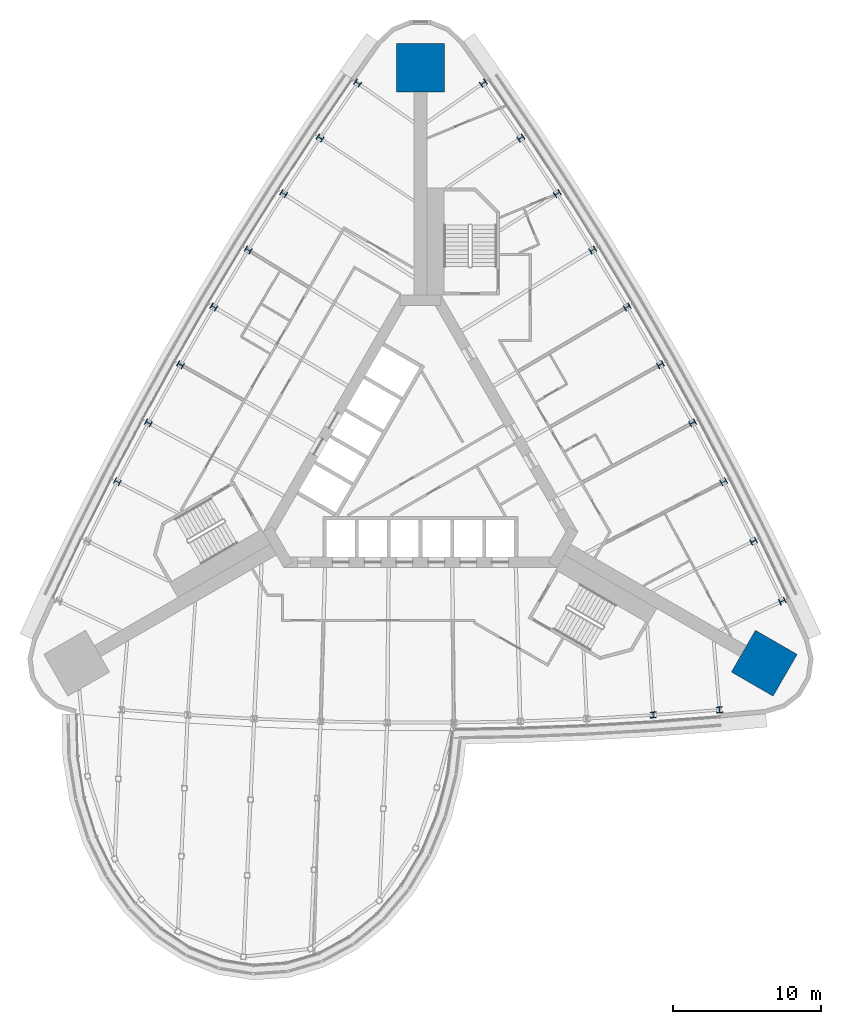
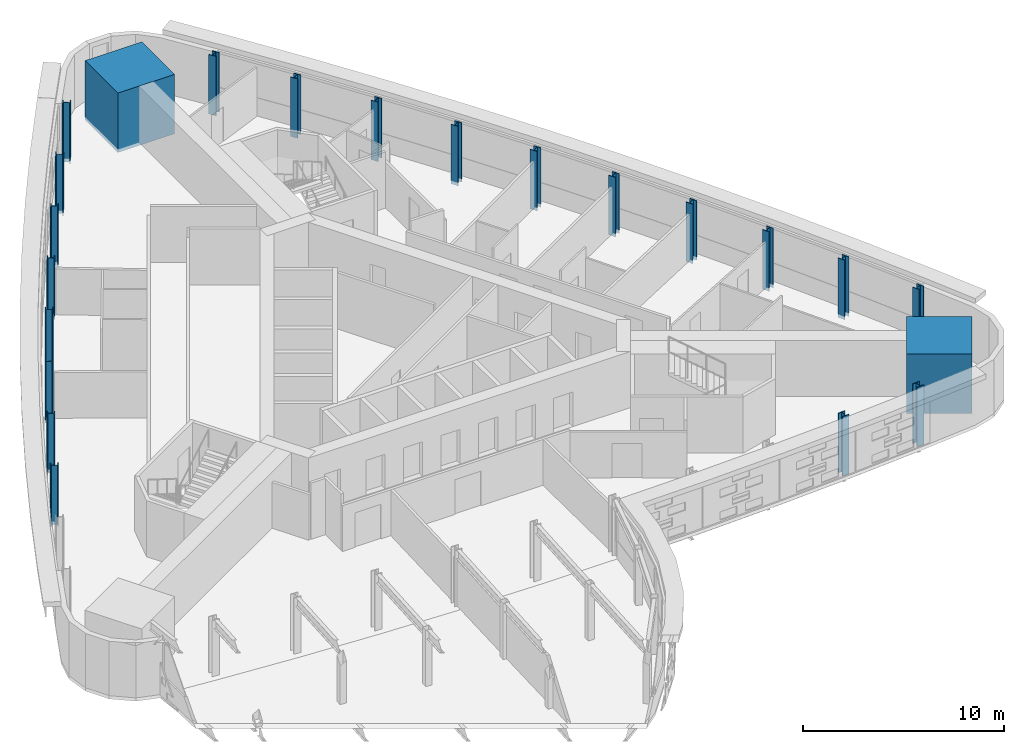
# One storey, part 2 of 16: 22 columns.
"""IFC4 building model written with IfcOpenShell, lengths in metres."""

import ifcopenshell
import ifcopenshell.guid

model = None  # the IFC model being written
_history = None  # IfcOwnerHistory: only IFC2X3 demands one
_inside = {}  # id of a spatial element -> (the spatial element, [elements in it])
_under = {}  # id of a project, library or spatial element -> (it, [spatial elements below it])
_declared = {}  # id of a project -> (the project, [libraries it declares])
_typed = {}  # id of a type object -> (the type object, [elements of that type])
_made_of = {}  # id of a material, layer set ... -> (it, [elements and type objects made of it])


def new_model(schema):
    """Start an empty IFC model of exactly this schema.

    Asked for "IFC4X3", IfcOpenShell would pick the latest addendum, in which some entities
    have other attributes; the version numbers below select the first issue.
    IFC2X3 requires an IfcOwnerHistory on every rooted entity: one is made here for all.
    """
    global model, _history
    if schema == "IFC4X3":
        model = ifcopenshell.file(schema_version=(4, 3, 0, 0))
    else:
        model = ifcopenshell.file(schema=schema)
    _inside.clear()
    _under.clear()
    _declared.clear()
    _typed.clear()
    _made_of.clear()
    _history = None
    if model.schema == "IFC2X3":
        org = make("IfcOrganization", Name="unknown")
        user = make(
            "IfcPersonAndOrganization",
            ThePerson=make("IfcPerson", FamilyName="unknown"),
            TheOrganization=org,
        )
        app = make(
            "IfcApplication",
            ApplicationDeveloper=org,
            Version="unknown",
            ApplicationFullName="unknown",
            ApplicationIdentifier="unknown",
        )
        _history = make(
            "IfcOwnerHistory",
            OwningUser=user,
            OwningApplication=app,
            ChangeAction="ADDED",
            CreationDate=0,
        )
    return model


def make(cls, **values):
    """One entity of the class cls with the attributes given. An attribute that is None is left unset."""
    return model.create_entity(
        cls, **{name: value for name, value in values.items() if value is not None}
    )


def rooted(cls, **values):
    """An entity with a GlobalId (a new one), such as an element, a storey or a relation."""
    return make(cls, GlobalId=ifcopenshell.guid.new(), OwnerHistory=_history, **values)


def si_unit(unit_type, name, prefix=None):
    """IfcSIUnit, for example si_unit("LENGTHUNIT", "METRE", prefix="MILLI")."""
    return make("IfcSIUnit", UnitType=unit_type, Prefix=prefix, Name=name)


def assignment(units):
    """IfcUnitAssignment: the units of a project."""
    return None if units is None else make("IfcUnitAssignment", Units=units)


def point(xyz):
    """IfcCartesianPoint."""
    return None if xyz is None else make("IfcCartesianPoint", Coordinates=xyz)


def direction(xyz):
    """IfcDirection."""
    return None if xyz is None else make("IfcDirection", DirectionRatios=xyz)


def frame(location, z_axis=None, x_axis=None):
    """IfcAxis2Placement3D, a coordinate frame: its origin and axes. An axis left out is left unset."""
    return make(
        "IfcAxis2Placement3D",
        Location=point(location),
        Axis=direction(z_axis),
        RefDirection=direction(x_axis),
    )


def frame_2d(location, x_axis=None):
    """IfcAxis2Placement2D, a coordinate frame in the plane: its origin and x axis."""
    return make(
        "IfcAxis2Placement2D", Location=point(location), RefDirection=direction(x_axis)
    )


def origin():
    """The frame at (0, 0, 0) with its axes left unset."""
    return frame((0.0, 0.0, 0.0))


def origin_2d():
    """The frame at (0, 0) in the plane with its x axis left unset."""
    return frame_2d((0.0, 0.0))


def place(relative_to, where):
    """IfcLocalPlacement: puts the frame where relative to a parent placement (None: the world)."""
    return make(
        "IfcLocalPlacement", PlacementRelTo=relative_to, RelativePlacement=where
    )


def context(
    kind, dimensions, precision=None, world=None, true_north=None, identifier=None
):
    """IfcGeometricRepresentationContext, for example the 3D "Model" context."""
    return make(
        "IfcGeometricRepresentationContext",
        ContextIdentifier=identifier,
        ContextType=kind,
        CoordinateSpaceDimension=dimensions,
        Precision=precision,
        WorldCoordinateSystem=world,
        TrueNorth=true_north,
    )


def subcontext(parent, identifier, kind, view, scale=None):
    """IfcGeometricRepresentationSubContext, for example "Body" below "Model"."""
    return make(
        "IfcGeometricRepresentationSubContext",
        ContextIdentifier=identifier,
        ContextType=kind,
        ParentContext=parent,
        TargetScale=scale,
        TargetView=view,
    )


def project(units=None, contexts=None):
    """IfcProject with its units and contexts."""
    return rooted(
        "IfcProject",
        Name="project",
        RepresentationContexts=contexts,
        UnitsInContext=assignment(units),
    )


def spatial(cls, under=None, at=None, **own):
    """A site, building, storey or space (cls), placed at a placement, below another one or the project."""
    s = rooted(cls, ObjectPlacement=at, **own)
    if under is not None:
        _under.setdefault(under.id(), (under, []))[1].append(s)
    return s


def profile(cls, at=None, kind="AREA", **sizes):
    """A parametric profile (cls). Its sizes go by their IFC names, for example OverallWidth=200.0."""
    return make(cls, ProfileType=kind, Position=at, **sizes)


def rectangle(**sizes):
    """IfcRectangleProfileDef."""
    return profile("IfcRectangleProfileDef", **sizes)


def i_section(**sizes):
    """IfcIShapeProfileDef."""
    return profile("IfcIShapeProfileDef", **sizes)


def extrude(swept, where, along, depth):
    """IfcExtrudedAreaSolid: the profile swept, set in the frame where, extruded along a direction by depth."""
    return make(
        "IfcExtrudedAreaSolid",
        SweptArea=swept,
        Position=where,
        ExtrudedDirection=direction(along),
        Depth=depth,
    )


def shape(context_of_items, identifier, shape_type, items):
    """IfcShapeRepresentation: the items that make up one representation, for example the "Body"."""
    return make(
        "IfcShapeRepresentation",
        ContextOfItems=context_of_items,
        RepresentationIdentifier=identifier,
        RepresentationType=shape_type,
        Items=items,
    )


def material(Name=None, Category=None):
    """IfcMaterial."""
    return make("IfcMaterial", Name=Name, Category=Category)


def material_profile(
    of_material, cross_section, Name=None, Category=None, Priority=None
):
    """IfcMaterialProfile: a cross section and its material."""
    return make(
        "IfcMaterialProfile",
        Name=Name,
        Material=of_material,
        Profile=cross_section,
        Priority=Priority,
        Category=Category,
    )


def profile_set(profiles, Name=None, composite=None):
    """IfcMaterialProfileSet."""
    return make(
        "IfcMaterialProfileSet",
        Name=Name,
        MaterialProfiles=profiles,
        CompositeProfile=composite,
    )


def made_of(thing, what):
    """Note that an element or type object is made of a material, layer set ...; save() writes the relation."""
    if what is not None:
        _made_of.setdefault(what.id(), (what, []))[1].append(thing)
    return thing


def type_object(cls, material=None, **own):
    """A type object (cls), such as IfcWallType, which elements share."""
    return made_of(rooted(cls, **own), material)


def element(
    cls,
    number,
    at=None,
    inside=None,
    cuts=None,
    type_object=None,
    material=None,
    context=None,
    identifier="Body",
    shape_type=None,
    held_by="IfcProductDefinitionShape",
    body=None,
    shapes=None,
    **own,
):
    """One element of the class cls, such as IfcWall. Its Tag is "e" and its number.

    at: its placement. inside: the storey or other place that contains it. cuts: it is an
    opening in that element (IfcRelVoidsElement). A single representation is given by context,
    identifier, shape_type and body (its items); several are given by shapes. held_by: the class
    of the entity that holds the representations. save() writes the other relations.
    """
    e = rooted(cls, Tag="e%d" % number, ObjectPlacement=at, **own)
    if body is not None:
        shapes = [shape(context, identifier, shape_type, body)]
    if shapes is not None:
        e.Representation = make(held_by, Representations=shapes)
    if inside is not None:
        _inside.setdefault(inside.id(), (inside, []))[1].append(e)
    if cuts is not None:
        rooted(
            "IfcRelVoidsElement", RelatingBuildingElement=cuts, RelatedOpeningElement=e
        )
    if type_object is not None:
        _typed.setdefault(type_object.id(), (type_object, []))[1].append(e)
    return made_of(e, material)


def aggregate(whole, parts):
    """IfcRelAggregates: a whole, such as a stair, and the parts it consists of."""
    return rooted("IfcRelAggregates", RelatingObject=whole, RelatedObjects=parts)


def save(model, path):
    """Write the relations noted so far, then the file.

    IfcRelAggregates (storeys below a building ...), IfcRelContainedInSpatialStructure (elements
    in a storey), IfcRelDefinesByType, IfcRelAssociatesMaterial and IfcRelDeclares: one each for
    every whole, place, type object, material and project.
    """
    for whole, parts in _under.values():
        aggregate(whole, parts)
    for where, things in _inside.values():
        rooted(
            "IfcRelContainedInSpatialStructure",
            RelatedElements=things,
            RelatingStructure=where,
        )
    for kind, things in _typed.values():
        rooted("IfcRelDefinesByType", RelatedObjects=things, RelatingType=kind)
    for what, things in _made_of.values():
        rooted("IfcRelAssociatesMaterial", RelatedObjects=things, RelatingMaterial=what)
    for by, libraries in _declared.values():
        rooted("IfcRelDeclares", RelatingContext=by, RelatedDefinitions=libraries)
    model.write(path)


model = new_model("IFC4")

# Units and contexts
model_context = context("Model", 3, precision=1e-05, world=origin(), true_north=direction((0.0, 1.0)))
body_context = subcontext(model_context, "Body", "Model", "MODEL_VIEW")
ifc_project = project(units=[si_unit("LENGTHUNIT", "METRE"), si_unit("AREAUNIT", "SQUARE_METRE"), si_unit("VOLUMEUNIT", "CUBIC_METRE"), si_unit("PLANEANGLEUNIT", "RADIAN"), si_unit("MASSUNIT", "GRAM", prefix="KILO")], contexts=[model_context])

# Site, building, storey
site_placement = place(None, origin())
site = spatial("IfcSite", under=ifc_project, at=site_placement, CompositionType="ELEMENT")
building_placement = place(site_placement, origin())
building = spatial("IfcBuilding", under=site, at=building_placement, Name="Noor Cloister Tower", CompositionType="ELEMENT")
storey_placement = place(building_placement, frame((0.0, 0.0, 65.39990234375)))
storey = spatial("IfcBuildingStorey", under=building, at=storey_placement, Name="L16", CompositionType="ELEMENT", Elevation=65.39990234375)

# Columns
ifc_material_1 = material(Name="Steel ASTM A992 Gr 50", Category="steel")
ifc_material_profile_1 = material_profile(ifc_material_1, i_section(OverallWidth=0.404052734375, OverallDepth=0.406005859375, WebThickness=0.027099609375, FlangeThickness=0.043701171875, FilletRadius=0.01513671875, at=origin_2d()), Name="W360x347")
ifc_profile_set_1 = profile_set([ifc_material_profile_1], Name="Steel ASTM A992 Gr 50")
column_type_1 = type_object("IfcColumnType", Name="Column W360x347", PredefinedType="COLUMN", material=ifc_profile_set_1)
for number, where, z_axis, x_axis, name in (
    (1, (-4.23291015625, 25.7431640625, -0.199951171875), (0.0, 0.0, 1.0), (-0.572483892702, -0.81991596679, 0.0), "Column NW 01 L16"),
    (2, (-6.767578125, 22.037841796875, -0.199951171875), (0.0, 0.0, 1.0), (-0.556723105522, -0.830698130356, 0.0), "Column NW 02 L16"),
    (3, (-9.231201171875, 18.284912109375, -0.199951171875), (0.0, 0.0, 1.0), (-0.540759305107, -0.84117737365, 0.0), "Column NW 03 L16"),
    (4, (-11.622802734375, 14.4853515625, -0.199951171875), (0.0, 0.0, 1.0), (-0.524598312775, -0.851349875335, 0.0), "Column NW 04 L16"),
    (5, (-13.94140625, 10.64111328125, -0.199951171875), (0.0, 0.0, 1.0), (-0.508246021753, -0.861211925935, 0.0), "Column NW 05 L16"),
    (6, (-16.18603515625, 6.753173828125, -0.199951171875), (0.0, 0.0, 1.0), (-0.491708395025, -0.870759929178, 0.0), "Column NW 06 L16"),
    (7, (-18.356201171875, 2.822998046875, -0.199951171875), (0.0, 0.0, 1.0), (-0.474991463162, -0.879990403313, 0.0), "Column NW 07 L16"),
    (8, (-20.45068359375, -1.14794921875, -0.199951171875), (0.0, 0.0, 1.0), (-0.458101322116, -0.88889998238, 0.0), "Column NW 08 L16"),
    (9, (15.70166015625, -16.8798828125, -0.199951171875), (0.0, 0.0, 1.0), (0.997767236526, 0.066787287078, 0.0), "Column S 09 L16"),
    (10, (20.177978515625, -16.537353515625, -0.199951171875), (0.0, 0.0, 1.0), (0.996310002559, 0.085827610942, 0.0), "Column S 10 L16"),
    (11, (24.41064453125, -9.205810546875, -0.199951171875), (0.0, 0.0, 1.0), (-0.423826109857, 0.905743577732, 0.0), "Column NE 01 L16"),
    (12, (22.46923828125, -5.157958984375, -0.199951171875), (0.0, 0.0, 1.0), (-0.441044131004, 0.897485417434, 0.0), "Column NE 02 L16"),
    (13, (20.45068359375, -1.14794921875, -0.199951171875), (0.0, 0.0, 1.0), (-0.458101322116, 0.88889998238, 0.0), "Column NE 03 L16"),
    (14, (18.356201171875, 2.822998046875, -0.199951171875), (0.0, 0.0, 1.0), (-0.474991463162, 0.879990403313, 0.0), "Column NE 04 L16"),
    (15, (16.18603515625, 6.753173828125, -0.199951171875), (0.0, 0.0, 1.0), (-0.491708395025, 0.870759929178, 0.0), "Column NE 05 L16"),
    (16, (13.94140625, 10.64111328125, -0.199951171875), (0.0, 0.0, 1.0), (-0.508246021753, 0.861211925935, 0.0), "Column NE 06 L16"),
    (17, (11.622802734375, 14.4853515625, -0.199951171875), (0.0, 0.0, 1.0), (-0.524598312775, 0.851349875335, 0.0), "Column NE 07 L16"),
    (18, (9.231201171875, 18.284912109375, -0.199951171875), (0.0, 0.0, 1.0), (-0.540759305107, 0.84117737365, 0.0), "Column NE 08 L16"),
    (19, (6.767578125, 22.037841796875, -0.199951171875), (0.0, 0.0, 1.0), (-0.556723105522, 0.830698130356, 0.0), "Column NE 09 L16"),
    (20, (4.23291015625, 25.7431640625, -0.199951171875), (0.0, 0.0, 1.0), (-0.572483892702, 0.81991596679, 0.0), "Column NE 10 L16"),
):
    element("IfcColumn", number, at=place(storey_placement, frame(where, z_axis=z_axis, x_axis=x_axis)), inside=storey, type_object=column_type_1, Name=name, PredefinedType="COLUMN", context=body_context, shape_type="SweptSolid", body=[
        extrude(i_section(OverallWidth=0.404052734375, OverallDepth=0.406005859375, WebThickness=0.027099609375, FlangeThickness=0.043701171875, FilletRadius=0.01513671875, at=origin_2d()), origin(), (0.0, 0.0, 1.0), 3.60009765625),
    ])
ifc_material_2 = material(Name="Concrete C80/95", Category="concrete")
ifc_material_profile_2 = material_profile(ifc_material_2, rectangle(XDim=3.25, YDim=3.25, at=origin_2d()), Name="RC 3250x3250")
ifc_profile_set_2 = profile_set([ifc_material_profile_2], Name="Concrete C80/95")
column_type_2 = type_object("IfcColumnType", Name="Corner pier 3250 x 3250 C80/95", PredefinedType="COLUMN", material=ifc_profile_set_2)
for number, where, z_axis, x_axis, name in (
    (21, (0.0, 26.780029296875, -0.199951171875), (0.0, 0.0, 1.0), (0.0, 1.0, 0.0), "Corner pier N L16"),
    (22, (23.192138671875, -13.389892578125, -0.199951171875), (0.0, 0.0, 1.0), (0.866025403784, -0.5, 0.0), "Corner pier SE L16"),
):
    element("IfcColumn", number, at=place(storey_placement, frame(where, z_axis=z_axis, x_axis=x_axis)), inside=storey, type_object=column_type_2, Name=name, PredefinedType="COLUMN", context=body_context, shape_type="SweptSolid", body=[
        extrude(rectangle(XDim=3.25, YDim=3.25, at=origin_2d()), origin(), (0.0, 0.0, 1.0), 3.60009765625),
    ])

save(model, "model.ifc")
